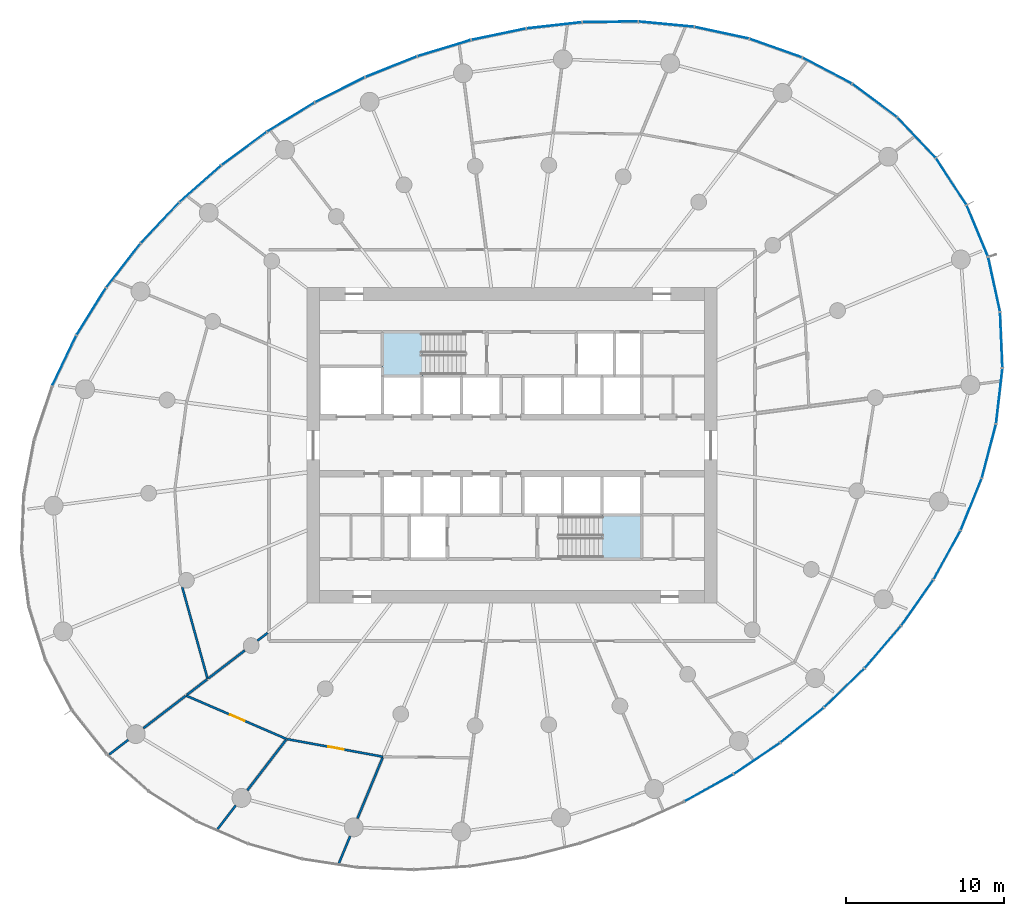
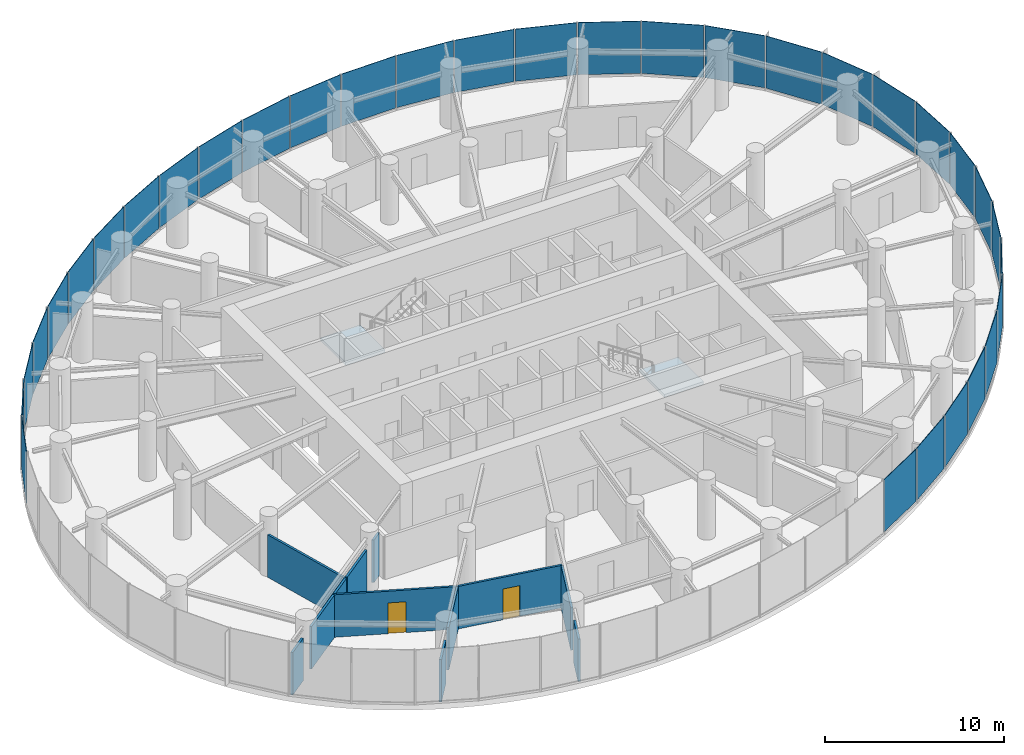
# One storey, part 9 of 17: 33 plates, 12 walls, 2 doors, 2 slabs, 2 openings, 9 elements without a shape of their own.
"""IFC4 building model written with IfcOpenShell, lengths in metres."""

from ifc_helpers import new_model, si_unit, direction, frame, frame_2d, origin, origin_2d, place, context, subcontext, project, spatial, line, indexed_curve, rectangle, outline, extrude, source, transform, mapped, material, layer, layer_set, type_object, element, fill, aggregate, save


model = new_model("IFC4")

# Units and contexts
model_context = context("Model", 3, precision=1e-05, world=origin(), true_north=direction((0.0, 1.0)))
body_context = subcontext(model_context, "Body", "Model", "MODEL_VIEW")
ifc_project = project(units=[si_unit("LENGTHUNIT", "METRE"), si_unit("AREAUNIT", "SQUARE_METRE"), si_unit("VOLUMEUNIT", "CUBIC_METRE"), si_unit("PLANEANGLEUNIT", "RADIAN"), si_unit("MASSUNIT", "GRAM", prefix="KILO")], contexts=[model_context])

# Site, building, storey
site_placement = place(None, origin())
site = spatial("IfcSite", under=ifc_project, at=site_placement, CompositionType="ELEMENT")
building_placement = place(site_placement, origin())
building = spatial("IfcBuilding", under=site, at=building_placement, Name="Spindrift Exchange Tower", CompositionType="ELEMENT")
storey_placement = place(building_placement, frame((0.0, 0.0, 112.60009765625)))
storey = spatial("IfcBuildingStorey", under=building, at=storey_placement, Name="L26", CompositionType="ELEMENT", Elevation=112.60009765625)

# Stair, slab
ifc_material_1 = material(Name="Concrete 50 MPa", Category="concrete")
stair_type = type_object("IfcStairType", Name="ST-1250-R186", PredefinedType="HALF_TURN_STAIR", material=ifc_material_1)
stair_1_placement = place(storey_placement, origin())
stair_1 = element("IfcStair", 1, at=stair_1_placement, inside=storey, type_object=stair_type, Name="L26 Exit stair ST1", PredefinedType="HALF_TURN_STAIR")
ifc_layer_1 = layer(ifc_material_1, 0.199951171875)
ifc_layer_set_1 = layer_set([ifc_layer_1], Name="SL-LANDING")
slab_type = type_object("IfcSlabType", Name="SL-LANDING", PredefinedType="LANDING", material=ifc_layer_set_1)
slab_1_placement = place(storey_placement, frame((0.0, 0.0, 1.849853515625)))
slab_1 = element("IfcSlab", 2, at=slab_1_placement, type_object=slab_type, Name="ST1 landing 1", PredefinedType="LANDING", context=body_context, shape_type="SweptSolid", body=[
    extrude(outline(indexed_curve([(46.330078125, 52.39990234375), (43.800048828125, 52.39990234375), (43.800048828125, 55.199951171875), (46.330078125, 55.199951171875)], segments=[line(1, 2, 3, 4, 1)], self_intersect=False)), origin(), (0.0, 0.0, 1.0), 0.199951171875),
])
aggregate(stair_1, [slab_1])

stair_2_placement = place(storey_placement, origin())
stair_2 = element("IfcStair", 3, at=stair_2_placement, inside=storey, type_object=stair_type, Name="L26 Exit stair ST2", PredefinedType="HALF_TURN_STAIR")
slab_2_placement = place(storey_placement, frame((0.0, 0.0, 1.849853515625)))
slab_2 = element("IfcSlab", 4, at=slab_2_placement, type_object=slab_type, Name="ST2 landing 1", PredefinedType="LANDING", context=body_context, shape_type="SweptSolid", body=[
    extrude(outline(indexed_curve([(57.669921875, 43.60009765625), (60.199951171875, 43.60009765625), (60.199951171875, 40.800048828125), (57.669921875, 40.800048828125)], segments=[line(1, 2, 3, 4, 1)], self_intersect=False)), origin(), (0.0, 0.0, 1.0), 0.199951171875),
])
aggregate(stair_2, [slab_2])

# Curtain wall, plate
ifc_material_2 = material(Name="Fritted laminated glass with bronze frame", Category="glass")
ifc_layer_2 = layer(ifc_material_2, 0.18994140625)
ifc_layer_set_2 = layer_set([ifc_layer_2], Name="ZONE 2 BRONZE FRITTED WALL")
curtain_wall_type = type_object("IfcCurtainWallType", Name="ZONE 2 BRONZE FRITTED WALL", PredefinedType="NOTDEFINED", material=ifc_layer_set_2)
curtain_wall_1_placement = place(storey_placement, origin())
curtain_wall_1 = element("IfcCurtainWall", 5, at=curtain_wall_1_placement, inside=storey, type_object=curtain_wall_type, Name="L26 Zone 2 Bronze Fritted Wall run 2", PredefinedType="NOTDEFINED")
ifc_material_3 = material(Name="Bronze fritted laminated glass, close frit", Category="glass")
ifc_layer_3 = layer(ifc_material_3, 0.033935546875)
ifc_layer_set_3 = layer_set([ifc_layer_3], Name="ZONE 2 BRONZE FRITTED WALL PANEL CLOSE FRIT 420")
plate_type_1 = type_object("IfcPlateType", Name="ZONE 2 BRONZE FRITTED WALL PANEL CLOSE FRIT 420", PredefinedType="CURTAIN_PANEL", material=ifc_layer_set_3)
shared_shape_1 = source(origin(), body_context, "Body", "SweptSolid", [
    extrude(rectangle(XDim=3.491455078125, YDim=0.033935546875, at=origin_2d()), origin(), (0.0, 0.0, 1.0), 3.56005859375),
])
plate_1_placement = place(storey_placement, frame((54.672607421875, 74.628662109375, 0.139892578125), z_axis=(0.0, 0.0, 1.0), x_axis=(-0.99375663017, -0.111569529864, 0.0)))
plate_1 = element("IfcPlate", 6, at=plate_1_placement, type_object=plate_type_1, Name="L26 panel CW-2.9", PredefinedType="CURTAIN_PANEL", context=body_context, shape_type="MappedRepresentation", body=[
    mapped(shared_shape_1, transform((0.0, 0.0, 0.0), scale=1.0)),
])

curtain_wall_2_placement = place(storey_placement, origin())
curtain_wall_2 = element("IfcCurtainWall", 7, at=curtain_wall_2_placement, inside=storey, type_object=curtain_wall_type, Name="L26 Zone 2 Bronze Fritted Wall run 8", PredefinedType="NOTDEFINED")
plate_2_placement = place(storey_placement, frame((75.510009765625, 35.212890625, 0.139892578125), z_axis=(0.0, 0.0, 1.0), x_axis=(0.651823136507, 0.758371016531, 0.0)))
plate_2 = element("IfcPlate", 8, at=plate_2_placement, type_object=plate_type_1, Name="L26 panel CW-2.43", PredefinedType="CURTAIN_PANEL", context=body_context, shape_type="MappedRepresentation", body=[
    mapped(shared_shape_1, transform((0.0, 0.0, 0.0), scale=1.0)),
])

# Plate
shared_shape_2 = source(origin(), body_context, "Body", "SweptSolid", [
    extrude(rectangle(XDim=3.49169921875, YDim=0.033935546875, at=origin_2d()), origin(), (0.0, 0.0, 1.0), 3.56005859375),
])
plate_3_placement = place(storey_placement, frame((44.340087890625, 72.00537109375, 0.139892578125), z_axis=(0.0, 0.0, 1.0), x_axis=(-0.928443690562, -0.371473166536, 0.0)))
plate_3 = element("IfcPlate", 9, at=plate_3_placement, type_object=plate_type_1, Name="L26 panel CW-2.12", PredefinedType="CURTAIN_PANEL", context=body_context, shape_type="MappedRepresentation", body=[
    mapped(shared_shape_2, transform((0.0, 0.0, 0.0), scale=1.0)),
])

# Curtain wall, plates
curtain_wall_3_placement = place(storey_placement, origin())
curtain_wall_3 = element("IfcCurtainWall", 10, at=curtain_wall_3_placement, inside=storey, type_object=curtain_wall_type, Name="L26 Zone 2 Bronze Fritted Wall run 3", PredefinedType="NOTDEFINED")
plate_4_placement = place(storey_placement, frame((41.090576171875, 70.54296875, 0.139892578125), z_axis=(0.0, 0.0, 1.0), x_axis=(-0.89370834683, -0.448648404439, 0.0)))
plate_4 = element("IfcPlate", 11, at=plate_4_placement, type_object=plate_type_1, Name="L26 panel CW-2.13", PredefinedType="CURTAIN_PANEL", context=body_context, shape_type="MappedRepresentation", body=[
    mapped(shared_shape_2, transform((0.0, 0.0, 0.0), scale=1.0)),
])
plate_5_placement = place(storey_placement, frame((32.24560546875, 64.585693359375, 0.139892578125), z_axis=(0.0, 0.0, 1.0), x_axis=(-0.750266866745, -0.661135106211, 0.0)))
plate_5 = element("IfcPlate", 12, at=plate_5_placement, type_object=plate_type_1, Name="L26 panel CW-2.16", PredefinedType="CURTAIN_PANEL", context=body_context, shape_type="MappedRepresentation", body=[
    mapped(shared_shape_2, transform((0.0, 0.0, 0.0), scale=1.0)),
])
ifc_layer_4 = layer(ifc_material_3, 0.033935546875)
ifc_layer_set_4 = layer_set([ifc_layer_4], Name="ZONE 2 BRONZE FRITTED WALL PANEL CLOSE FRIT 300")
plate_type_2 = type_object("IfcPlateType", Name="ZONE 2 BRONZE FRITTED WALL PANEL CLOSE FRIT 300", PredefinedType="CURTAIN_PANEL", material=ifc_layer_set_4)
shared_shape_3 = source(origin(), body_context, "Body", "SweptSolid", [
    extrude(rectangle(XDim=3.49169921875, YDim=0.033935546875, at=origin_2d()), origin(), (0.0, 0.0, 1.0), 3.56005859375),
])
plate_6_placement = place(storey_placement, frame((35.019287109375, 66.822265625, 0.139892578125), z_axis=(0.0, 0.0, 1.0), x_axis=(-0.805161964348, -0.593054981572, 0.0)))
plate_6 = element("IfcPlate", 13, at=plate_6_placement, type_object=plate_type_2, Name="L26 panel CW-2.15", PredefinedType="CURTAIN_PANEL", context=body_context, shape_type="MappedRepresentation", body=[
    mapped(shared_shape_3, transform((0.0, 0.0, 0.0), scale=1.0)),
])

# Curtain wall, plate
curtain_wall_4_placement = place(storey_placement, origin())
curtain_wall_4 = element("IfcCurtainWall", 14, at=curtain_wall_4_placement, inside=storey, type_object=curtain_wall_type, Name="L26 Zone 2 Bronze Fritted Wall run 7", PredefinedType="NOTDEFINED")
plate_7_placement = place(storey_placement, frame((67.5234375, 28.151611328125, 0.139892578125), z_axis=(0.0, 0.0, 1.0), x_axis=(0.829813648923, 0.558040597144, 0.0)))
plate_7 = element("IfcPlate", 15, at=plate_7_placement, type_object=plate_type_2, Name="L26 panel CW-2.40", PredefinedType="CURTAIN_PANEL", context=body_context, shape_type="MappedRepresentation", body=[
    mapped(shared_shape_3, transform((0.0, 0.0, 0.0), scale=1.0)),
])

# Plate
ifc_layer_5 = layer(ifc_material_3, 0.033935546875)
ifc_layer_set_5 = layer_set([ifc_layer_5], Name="ZONE 2 BRONZE FRITTED WALL PANEL CLOSE FRIT 540")
plate_type_3 = type_object("IfcPlateType", Name="ZONE 2 BRONZE FRITTED WALL PANEL CLOSE FRIT 540", PredefinedType="CURTAIN_PANEL", material=ifc_layer_set_5)
shared_shape_4 = source(origin(), body_context, "Body", "SweptSolid", [
    extrude(rectangle(XDim=3.49169921875, YDim=0.033935546875, at=origin_2d()), origin(), (0.0, 0.0, 1.0), 3.56005859375),
])
plate_8_placement = place(storey_placement, frame((47.702392578125, 73.185302734375, 0.139892578125), z_axis=(0.0, 0.0, 1.0), x_axis=(-0.956977819284, -0.290161081813, 0.0)))
plate_8 = element("IfcPlate", 16, at=plate_8_placement, type_object=plate_type_3, Name="L26 panel CW-2.11", PredefinedType="CURTAIN_PANEL", context=body_context, shape_type="MappedRepresentation", body=[
    mapped(shared_shape_4, transform((0.0, 0.0, 0.0), scale=1.0)),
])

plate_9_placement = place(storey_placement, frame((37.97607421875, 68.811279296875, 0.139892578125), z_axis=(0.0, 0.0, 1.0), x_axis=(-0.852744107728, -0.522328906663, 0.0)))
plate_9 = element("IfcPlate", 17, at=plate_9_placement, type_object=plate_type_3, Name="L26 panel CW-2.14", PredefinedType="CURTAIN_PANEL", context=body_context, shape_type="MappedRepresentation", body=[
    mapped(shared_shape_4, transform((0.0, 0.0, 0.0), scale=1.0)),
])

plate_10_placement = place(storey_placement, frame((64.485107421875, 26.2900390625, 0.139892578125), z_axis=(0.0, 0.0, 1.0), x_axis=(0.87402505182, 0.485880858638, 0.0)))
plate_10 = element("IfcPlate", 18, at=plate_10_placement, type_object=plate_type_3, Name="L26 panel CW-2.39", PredefinedType="CURTAIN_PANEL", context=body_context, shape_type="MappedRepresentation", body=[
    mapped(shared_shape_4, transform((0.0, 0.0, 0.0), scale=1.0)),
])

plate_11_placement = place(storey_placement, frame((70.39208984375, 30.265625, 0.139892578125), z_axis=(0.0, 0.0, 1.0), x_axis=(0.778681359755, 0.62741958845, 0.0)))
plate_11 = element("IfcPlate", 19, at=plate_11_placement, type_object=plate_type_3, Name="L26 panel CW-2.41", PredefinedType="CURTAIN_PANEL", context=body_context, shape_type="MappedRepresentation", body=[
    mapped(shared_shape_4, transform((0.0, 0.0, 0.0), scale=1.0)),
])

# Curtain wall, plate
curtain_wall_5_placement = place(storey_placement, origin())
curtain_wall_5 = element("IfcCurtainWall", 20, at=curtain_wall_5_placement, inside=storey, type_object=curtain_wall_type, Name="L26 Zone 2 Bronze Fritted Wall run 9", PredefinedType="NOTDEFINED")
shared_shape_5 = source(origin(), body_context, "Body", "SweptSolid", [
    extrude(rectangle(XDim=3.48779296875, YDim=0.033935546875, at=origin_2d()), origin(), (0.0, 0.0, 1.0), 3.56005859375),
])
plate_12_placement = place(storey_placement, frame((81.50244140625, 61.590087890625, 0.139892578125), z_axis=(0.0, 0.0, 1.0), x_axis=(-0.38402460677, 0.923322858699, 0.0)))
plate_12 = element("IfcPlate", 21, at=plate_12_placement, type_object=plate_type_1, Name="L26 panel CW-2.51", PredefinedType="CURTAIN_PANEL", context=body_context, shape_type="MappedRepresentation", body=[
    mapped(shared_shape_5, transform((0.0, 0.0, 0.0), scale=1.0)),
])

# Curtain wall, plates
curtain_wall_6_placement = place(storey_placement, origin())
curtain_wall_6 = element("IfcCurtainWall", 22, at=curtain_wall_6_placement, inside=storey, type_object=curtain_wall_type, Name="L26 Zone 2 Bronze Fritted Wall run 1", PredefinedType="NOTDEFINED")
shared_shape_6 = source(origin(), body_context, "Body", "SweptSolid", [
    extrude(rectangle(XDim=3.48779296875, YDim=0.033935546875, at=origin_2d()), origin(), (0.0, 0.0, 1.0), 3.56005859375),
])
plate_13_placement = place(storey_placement, frame((79.84423828125, 64.726318359375, 0.139892578125), z_axis=(0.0, 0.0, 1.0), x_axis=(-0.546740737619, 0.837301956183, 0.0)))
plate_13 = element("IfcPlate", 23, at=plate_13_placement, type_object=plate_type_3, Name="L26 panel CW-2.1", PredefinedType="CURTAIN_PANEL", context=body_context, shape_type="MappedRepresentation", body=[
    mapped(shared_shape_6, transform((0.0, 0.0, 0.0), scale=1.0)),
])
shared_shape_7 = source(origin(), body_context, "Body", "SweptSolid", [
    extrude(rectangle(XDim=3.488037109375, YDim=0.033935546875, at=origin_2d()), origin(), (0.0, 0.0, 1.0), 3.56005859375),
])
plate_14_placement = place(storey_placement, frame((77.64404296875, 67.510498046875, 0.139892578125), z_axis=(0.0, 0.0, 1.0), x_axis=(-0.6883115299, 0.725415217518, 0.0)))
plate_14 = element("IfcPlate", 24, at=plate_14_placement, type_object=plate_type_2, Name="L26 panel CW-2.2", PredefinedType="CURTAIN_PANEL", context=body_context, shape_type="MappedRepresentation", body=[
    mapped(shared_shape_7, transform((0.0, 0.0, 0.0), scale=1.0)),
])

# Plate
shared_shape_8 = source(origin(), body_context, "Body", "SweptSolid", [
    extrude(rectangle(XDim=3.48876953125, YDim=0.033935546875, at=origin_2d()), origin(), (0.0, 0.0, 1.0), 3.56005859375),
])
plate_15_placement = place(storey_placement, frame((83.017333984375, 54.682861328125, 0.139892578125), z_axis=(0.0, 0.0, 1.0), x_axis=(-0.042707430911, 0.999087621455, 0.0)))
plate_15 = element("IfcPlate", 25, at=plate_15_placement, type_object=plate_type_1, Name="L26 panel CW-2.49", PredefinedType="CURTAIN_PANEL", context=body_context, shape_type="MappedRepresentation", body=[
    mapped(shared_shape_8, transform((0.0, 0.0, 0.0), scale=1.0)),
])

shared_shape_9 = source(origin(), body_context, "Body", "SweptSolid", [
    extrude(rectangle(XDim=3.489990234375, YDim=0.033935546875, at=origin_2d()), origin(), (0.0, 0.0, 1.0), 3.56005859375),
])
plate_16_placement = place(storey_placement, frame((68.72607421875, 73.187255859375, 0.139892578125), z_axis=(0.0, 0.0, 1.0), x_axis=(-0.942417559898, 0.334438548608, 0.0)))
plate_16 = element("IfcPlate", 26, at=plate_16_placement, type_object=plate_type_3, Name="L26 panel CW-2.5", PredefinedType="CURTAIN_PANEL", context=body_context, shape_type="MappedRepresentation", body=[
    mapped(shared_shape_9, transform((0.0, 0.0, 0.0), scale=1.0)),
])

plate_17_placement = place(storey_placement, frame((82.23291015625, 47.6376953125, 0.139892578125), z_axis=(0.0, 0.0, 1.0), x_axis=(0.254331888111, 0.967116999483, 0.0)))
plate_17 = element("IfcPlate", 27, at=plate_17_placement, type_object=plate_type_3, Name="L26 panel CW-2.47", PredefinedType="CURTAIN_PANEL", context=body_context, shape_type="MappedRepresentation", body=[
    mapped(shared_shape_9, transform((0.0, 0.0, 0.0), scale=1.0)),
])

# Curtain wall, plate
curtain_wall_7_placement = place(storey_placement, origin())
curtain_wall_7 = element("IfcCurtainWall", 28, at=curtain_wall_7_placement, inside=storey, type_object=curtain_wall_type, Name="L26 Zone 2 Bronze Fritted Wall run 4", PredefinedType="NOTDEFINED")
shared_shape_10 = source(origin(), body_context, "Body", "SweptSolid", [
    extrude(rectangle(XDim=3.490478515625, YDim=0.033935546875, at=origin_2d()), origin(), (0.0, 0.0, 1.0), 3.56005859375),
])
plate_18_placement = place(storey_placement, frame((23.610595703125, 53.36669921875, 0.139892578125), z_axis=(0.0, 0.0, 1.0), x_axis=(-0.431451322113, -0.902136218454, 0.0)))
plate_18 = element("IfcPlate", 29, at=plate_18_placement, type_object=plate_type_2, Name="L26 panel CW-2.20", PredefinedType="CURTAIN_PANEL", context=body_context, shape_type="MappedRepresentation", body=[
    mapped(shared_shape_10, transform((0.0, 0.0, 0.0), scale=1.0)),
])

# Plate
shared_shape_11 = source(origin(), body_context, "Body", "SweptSolid", [
    extrude(rectangle(XDim=3.4912109375, YDim=0.033935546875, at=origin_2d()), origin(), (0.0, 0.0, 1.0), 3.56005859375),
])
plate_19_placement = place(storey_placement, frame((58.2275390625, 74.849609375, 0.139892578125), z_axis=(0.0, 0.0, 1.0), x_axis=(-0.999923891144, -0.012337419477, 0.0)))
plate_19 = element("IfcPlate", 30, at=plate_19_placement, type_object=plate_type_1, Name="L26 panel CW-2.8", PredefinedType="CURTAIN_PANEL", context=body_context, shape_type="MappedRepresentation", body=[
    mapped(shared_shape_11, transform((0.0, 0.0, 0.0), scale=1.0)),
])

plate_20_placement = place(storey_placement, frame((27.36279296875, 59.40771484375, 0.139892578125), z_axis=(0.0, 0.0, 1.0), x_axis=(-0.613980790661, -0.789320966844, 0.0)))
plate_20 = element("IfcPlate", 31, at=plate_20_placement, type_object=plate_type_1, Name="L26 panel CW-2.18", PredefinedType="CURTAIN_PANEL", context=body_context, shape_type="MappedRepresentation", body=[
    mapped(shared_shape_11, transform((0.0, 0.0, 0.0), scale=1.0)),
])

plate_21_placement = place(storey_placement, frame((25.32373046875, 56.487548828125, 0.139892578125), z_axis=(0.0, 0.0, 1.0), x_axis=(-0.529484038283, -0.848319900276, 0.0)))
plate_21 = element("IfcPlate", 32, at=plate_21_placement, type_object=plate_type_1, Name="L26 panel CW-2.19", PredefinedType="CURTAIN_PANEL", context=body_context, shape_type="MappedRepresentation", body=[
    mapped(shared_shape_11, transform((0.0, 0.0, 0.0), scale=1.0)),
])

aggregate(curtain_wall_7, [plate_21, plate_18])

plate_22_placement = place(storey_placement, frame((77.694580078125, 38.026123046875, 0.139892578125), z_axis=(0.0, 0.0, 1.0), x_axis=(0.573306193735, 0.819341203788, 0.0)))
plate_22 = element("IfcPlate", 33, at=plate_22_placement, type_object=plate_type_1, Name="L26 panel CW-2.44", PredefinedType="CURTAIN_PANEL", context=body_context, shape_type="MappedRepresentation", body=[
    mapped(shared_shape_11, transform((0.0, 0.0, 0.0), scale=1.0)),
])

shared_shape_12 = source(origin(), body_context, "Body", "SweptSolid", [
    extrude(rectangle(XDim=3.491455078125, YDim=0.033935546875, at=origin_2d()), origin(), (0.0, 0.0, 1.0), 3.56005859375),
])
plate_23_placement = place(storey_placement, frame((51.15478515625, 74.066162109375, 0.139892578125), z_axis=(0.0, 0.0, 1.0), x_axis=(-0.979009203936, -0.203816041096, 0.0)))
plate_23 = element("IfcPlate", 34, at=plate_23_placement, type_object=plate_type_3, Name="L26 panel CW-2.10", PredefinedType="CURTAIN_PANEL", context=body_context, shape_type="MappedRepresentation", body=[
    mapped(shared_shape_12, transform((0.0, 0.0, 0.0), scale=1.0)),
])

plate_24_placement = place(storey_placement, frame((29.6826171875, 62.11083984375, 0.139892578125), z_axis=(0.0, 0.0, 1.0), x_axis=(-0.687019029703, -0.726639424216, 0.0)))
plate_24 = element("IfcPlate", 35, at=plate_24_placement, type_object=plate_type_3, Name="L26 panel CW-2.17", PredefinedType="CURTAIN_PANEL", context=body_context, shape_type="MappedRepresentation", body=[
    mapped(shared_shape_12, transform((0.0, 0.0, 0.0), scale=1.0)),
])

aggregate(curtain_wall_3, [plate_4, plate_9, plate_6, plate_5, plate_24, plate_20])

plate_25_placement = place(storey_placement, frame((73.064208984375, 32.62255859375, 0.139892578125), z_axis=(0.0, 0.0, 1.0), x_axis=(0.719762797109, 0.694220077424, 0.0)))
plate_25 = element("IfcPlate", 36, at=plate_25_placement, type_object=plate_type_3, Name="L26 panel CW-2.42", PredefinedType="CURTAIN_PANEL", context=body_context, shape_type="MappedRepresentation", body=[
    mapped(shared_shape_12, transform((0.0, 0.0, 0.0), scale=1.0)),
])

aggregate(curtain_wall_4, [plate_10, plate_7, plate_11, plate_25])

shared_shape_13 = source(origin(), body_context, "Body", "SweptSolid", [
    extrude(rectangle(XDim=3.490478515625, YDim=0.033935546875, at=origin_2d()), origin(), (0.0, 0.0, 1.0), 3.56005859375),
])
plate_26_placement = place(storey_placement, frame((65.30322265625, 74.158447265625, 0.139892578125), z_axis=(0.0, 0.0, 1.0), x_axis=(-0.97760728402, 0.210437635018, 0.0)))
plate_26 = element("IfcPlate", 37, at=plate_26_placement, type_object=plate_type_1, Name="L26 panel CW-2.6", PredefinedType="CURTAIN_PANEL", context=body_context, shape_type="MappedRepresentation", body=[
    mapped(shared_shape_13, transform((0.0, 0.0, 0.0), scale=1.0)),
])

shared_shape_14 = source(origin(), body_context, "Body", "SweptSolid", [
    extrude(rectangle(XDim=3.489501953125, YDim=0.033935546875, at=origin_2d()), origin(), (0.0, 0.0, 1.0), 3.56005859375),
])
plate_27_placement = place(storey_placement, frame((71.983642578125, 71.76220703125, 0.139892578125), z_axis=(0.0, 0.0, 1.0), x_axis=(-0.885286510339, 0.465046013435, 0.0)))
plate_27 = element("IfcPlate", 38, at=plate_27_placement, type_object=plate_type_2, Name="L26 panel CW-2.4", PredefinedType="CURTAIN_PANEL", context=body_context, shape_type="MappedRepresentation", body=[
    mapped(shared_shape_14, transform((0.0, 0.0, 0.0), scale=1.0)),
])

shared_shape_15 = source(origin(), body_context, "Body", "SweptSolid", [
    extrude(rectangle(XDim=3.488037109375, YDim=0.033935546875, at=origin_2d()), origin(), (0.0, 0.0, 1.0), 3.56005859375),
])
plate_28_placement = place(storey_placement, frame((82.56396484375, 58.2041015625, 0.139892578125), z_axis=(0.0, 0.0, 1.0), x_axis=(-0.211839952667, 0.977304371449, 0.0)))
plate_28 = element("IfcPlate", 39, at=plate_28_placement, type_object=plate_type_3, Name="L26 panel CW-2.50", PredefinedType="CURTAIN_PANEL", context=body_context, shape_type="MappedRepresentation", body=[
    mapped(shared_shape_15, transform((0.0, 0.0, 0.0), scale=1.0)),
])

aggregate(curtain_wall_5, [plate_15, plate_28, plate_12])

shared_shape_16 = source(origin(), body_context, "Body", "SweptSolid", [
    extrude(rectangle(XDim=3.490966796875, YDim=0.033935546875, at=origin_2d()), origin(), (0.0, 0.0, 1.0), 3.56005859375),
])
plate_29_placement = place(storey_placement, frame((79.57666015625, 41.049072265625, 0.139892578125), z_axis=(0.0, 0.0, 1.0), x_axis=(0.482265955361, 0.876024855983, 0.0)))
plate_29 = element("IfcPlate", 40, at=plate_29_placement, type_object=plate_type_2, Name="L26 panel CW-2.45", PredefinedType="CURTAIN_PANEL", context=body_context, shape_type="MappedRepresentation", body=[
    mapped(shared_shape_16, transform((0.0, 0.0, 0.0), scale=1.0)),
])

shared_shape_17 = source(origin(), body_context, "Body", "SweptSolid", [
    extrude(rectangle(XDim=3.48876953125, YDim=0.033935546875, at=origin_2d()), origin(), (0.0, 0.0, 1.0), 3.56005859375),
])
plate_30_placement = place(storey_placement, frame((74.98974609375, 69.8681640625, 0.139892578125), z_axis=(0.0, 0.0, 1.0), x_axis=(-0.801556549338, 0.59791897295, 0.0)))
plate_30 = element("IfcPlate", 41, at=plate_30_placement, type_object=plate_type_2, Name="L26 panel CW-2.3", PredefinedType="CURTAIN_PANEL", context=body_context, shape_type="MappedRepresentation", body=[
    mapped(shared_shape_17, transform((0.0, 0.0, 0.0), scale=1.0)),
])

aggregate(curtain_wall_6, [plate_13, plate_14, plate_30, plate_27, plate_16, plate_26])

shared_shape_18 = source(origin(), body_context, "Body", "SweptSolid", [
    extrude(rectangle(XDim=3.490478515625, YDim=0.033935546875, at=origin_2d()), origin(), (0.0, 0.0, 1.0), 3.56005859375),
])
plate_31_placement = place(storey_placement, frame((81.10791015625, 44.26220703125, 0.139892578125), z_axis=(0.0, 0.0, 1.0), x_axis=(0.376665688039, 0.926349264292, 0.0)))
plate_31 = element("IfcPlate", 42, at=plate_31_placement, type_object=plate_type_3, Name="L26 panel CW-2.46", PredefinedType="CURTAIN_PANEL", context=body_context, shape_type="MappedRepresentation", body=[
    mapped(shared_shape_18, transform((0.0, 0.0, 0.0), scale=1.0)),
])

shared_shape_19 = source(origin(), body_context, "Body", "SweptSolid", [
    extrude(rectangle(XDim=3.490966796875, YDim=0.033935546875, at=origin_2d()), origin(), (0.0, 0.0, 1.0), 3.56005859375),
])
plate_32_placement = place(storey_placement, frame((61.78564453125, 74.70263671875, 0.139892578125), z_axis=(0.0, 0.0, 1.0), x_axis=(-0.995500323013, 0.094758149422, 0.0)))
plate_32 = element("IfcPlate", 43, at=plate_32_placement, type_object=plate_type_1, Name="L26 panel CW-2.7", PredefinedType="CURTAIN_PANEL", context=body_context, shape_type="MappedRepresentation", body=[
    mapped(shared_shape_19, transform((0.0, 0.0, 0.0), scale=1.0)),
])

aggregate(curtain_wall_1, [plate_32, plate_19, plate_1, plate_23, plate_8, plate_3])

shared_shape_20 = source(origin(), body_context, "Body", "SweptSolid", [
    extrude(rectangle(XDim=3.4892578125, YDim=0.033935546875, at=origin_2d()), origin(), (0.0, 0.0, 1.0), 3.56005859375),
])
plate_33_placement = place(storey_placement, frame((82.889892578125, 51.132080078125, 0.139892578125), z_axis=(0.0, 0.0, 1.0), x_axis=(0.114271359912, 0.993449574112, 0.0)))
plate_33 = element("IfcPlate", 44, at=plate_33_placement, type_object=plate_type_3, Name="L26 panel CW-2.48", PredefinedType="CURTAIN_PANEL", context=body_context, shape_type="MappedRepresentation", body=[
    mapped(shared_shape_20, transform((0.0, 0.0, 0.0), scale=1.0)),
])

aggregate(curtain_wall_2, [plate_2, plate_22, plate_29, plate_31, plate_17, plate_33])

# Walls
ifc_material_4 = material(Name="Fire-rated plasterboard partition", Category="gypsum")
ifc_layer_6 = layer(ifc_material_4, 0.139892578125)
ifc_layer_set_6 = layer_set([ifc_layer_6], Name="W-PART-140")
wall_type_1 = type_object("IfcWallType", Name="W-PART-140", PredefinedType="PARTITIONING", material=ifc_layer_set_6)
wall_1_placement = place(storey_placement, frame((35.06494140625, 35.00537109375, 0.0), z_axis=(0.0, 0.0, 1.0), x_axis=(-0.793337721891, -0.608781782764, 0.0)))
element("IfcWall", 45, at=wall_1_placement, inside=storey, type_object=wall_type_1, Name="L26 Partition wall 103", PredefinedType="PARTITIONING", context=body_context, shape_type="SweptSolid", body=[
    extrude(rectangle(XDim=2.89697265625, YDim=0.139892578125, at=frame_2d((1.448486328125, 0.0))), origin(), (0.0, 0.0, 1.0), 2.89990234375),
])
wall_2_placement = place(storey_placement, frame((36.510009765625, 36.114013671875, 0.0), z_axis=(0.0, 0.0, 1.0), x_axis=(-0.793316076519, -0.608809989025, 0.0)))
element("IfcWall", 46, at=wall_2_placement, inside=storey, type_object=wall_type_1, Name="L26 Partition wall 133", PredefinedType="PARTITIONING", context=body_context, shape_type="SweptSolid", body=[
    extrude(rectangle(XDim=0.8125, YDim=0.139892578125, at=frame_2d((0.40625, 0.0))), origin(), (0.0, 0.0, 1.0), 2.89990234375),
])

# Wall, opening, door
ifc_layer_7 = layer(ifc_material_4, 0.139892578125)
ifc_layer_set_7 = layer_set([ifc_layer_7], Name="W-PLANT-140")
wall_type_2 = type_object("IfcWallType", Name="W-PLANT-140", PredefinedType="PARTITIONING", material=ifc_layer_set_7)
wall_3_placement = place(storey_placement, frame((37.71826171875, 29.387451171875, 0.0), z_axis=(0.0, 0.0, 1.0), x_axis=(-0.918146849398, 0.396240284349, 0.0)))
wall_3 = element("IfcWall", 47, at=wall_3_placement, inside=storey, type_object=wall_type_2, Name="L26 Partition wall 66", PredefinedType="PARTITIONING", context=body_context, shape_type="SweptSolid", body=[
    extrude(rectangle(XDim=6.953125, YDim=0.139892578125, at=frame_2d((3.4765625, 0.0))), origin(), (0.0, 0.0, 1.0), 2.89990234375),
])
opening_1_placement = place(wall_3_placement, frame((2.903076171875, 0.0, 0.0)))
opening_1 = element("IfcOpeningElement", 48, at=opening_1_placement, cuts=wall_3, Name="Opening L26-D39", PredefinedType="OPENING", context=body_context, shape_type="SweptSolid", body=[
    extrude(rectangle(XDim=1.0, YDim=2.10009765625, at=frame_2d((0.5, 1.050048828125))), frame((0.0, 0.079833984375, 0.0), z_axis=(0.0, -1.0, 0.0), x_axis=(1.0, 0.0, 0.0)), (0.0, 0.0, 1.0), 0.159912109375),
])
ifc_material_5 = material(Name="Timber-core fire door", Category="wood")
door_type = type_object("IfcDoorType", Name="DR-ROOM-1000", OperationType="NOTDEFINED", PredefinedType="DOOR", material=ifc_material_5)
shared_shape_21 = source(origin(), body_context, "Body", "SweptSolid", [
    extrude(rectangle(XDim=1.0, YDim=2.10009765625, at=frame_2d((0.5, 1.050048828125))), frame((0.0, 0.02490234375, 0.0), z_axis=(0.0, -1.0, 0.0), x_axis=(1.0, 0.0, 0.0)), (0.0, 0.0, 1.0), 0.050048828125),
])
door_1_placement = place(opening_1_placement, origin())
door_1 = element("IfcDoor", 49, at=door_1_placement, inside=storey, type_object=door_type, Name="L26 Door 39", OperationType="SINGLE_SWING_LEFT", OverallHeight=2.10009765625, OverallWidth=1.0, PredefinedType="DOOR", context=body_context, shape_type="MappedRepresentation", body=[
    mapped(shared_shape_21, transform((0.0, 0.0, 0.0), scale=1.0)),
])
fill(opening_1, door_1)

wall_4_placement = place(storey_placement, frame((43.82568359375, 28.265380859375, 0.0), z_axis=(0.0, 0.0, 1.0), x_axis=(-0.983538283384, 0.180699875811, 0.0)))
wall_4 = element("IfcWall", 50, at=wall_4_placement, inside=storey, type_object=wall_type_2, Name="L26 Partition wall 68", PredefinedType="PARTITIONING", context=body_context, shape_type="SweptSolid", body=[
    extrude(rectangle(XDim=6.179931640625, YDim=0.139892578125, at=frame_2d((3.08984375, 0.0))), origin(), (0.0, 0.0, 1.0), 2.89990234375),
])
opening_2_placement = place(wall_4_placement, frame((2.52978515625, 0.0, 0.0)))
opening_2 = element("IfcOpeningElement", 51, at=opening_2_placement, cuts=wall_4, Name="Opening L26-D40", PredefinedType="OPENING", context=body_context, shape_type="SweptSolid", body=[
    extrude(rectangle(XDim=1.0, YDim=2.10009765625, at=frame_2d((0.5, 1.050048828125))), frame((0.0, 0.079833984375, 0.0), z_axis=(0.0, -1.0, 0.0), x_axis=(1.0, 0.0, 0.0)), (0.0, 0.0, 1.0), 0.159912109375),
])
door_2_placement = place(opening_2_placement, origin())
door_2 = element("IfcDoor", 52, at=door_2_placement, inside=storey, type_object=door_type, Name="L26 Door 40", OperationType="SINGLE_SWING_RIGHT", OverallHeight=2.10009765625, OverallWidth=1.0, PredefinedType="DOOR", context=body_context, shape_type="MappedRepresentation", body=[
    mapped(shared_shape_21, transform((0.0, 0.0, 0.0), scale=1.0)),
])
fill(opening_2, door_2)

# Walls
wall_5_placement = place(storey_placement, frame((31.09521484375, 39.022216796875, 0.0), z_axis=(0.0, 0.0, 1.0), x_axis=(0.266539759446, -0.963823924083, 0.0)))
element("IfcWall", 53, at=wall_5_placement, inside=storey, type_object=wall_type_2, Name="L26 Partition wall 70", PredefinedType="PARTITIONING", context=body_context, shape_type="SweptSolid", body=[
    extrude(rectangle(XDim=6.04541015625, YDim=0.139892578125, at=frame_2d((3.022705078125, 0.0))), origin(), (0.0, 0.0, 1.0), 2.89990234375),
])
wall_6_placement = place(storey_placement, frame((43.79833984375, 28.19921875, 0.0), z_axis=(0.0, 0.0, 1.0), x_axis=(-0.382718911932, -0.923864835595, 0.0)))
element("IfcWall", 54, at=wall_6_placement, inside=storey, type_object=wall_type_2, Name="L26 Partition wall 86", PredefinedType="PARTITIONING", context=body_context, shape_type="SweptSolid", body=[
    extrude(rectangle(XDim=4.169921875, YDim=0.139892578125, at=frame_2d((2.0849609375, 0.0))), origin(), (0.0, 0.0, 1.0), 2.89990234375),
])
wall_7_placement = place(storey_placement, frame((37.67431640625, 29.330322265625, 0.0), z_axis=(0.0, 0.0, 1.0), x_axis=(-0.608749592837, -0.793362422365, 0.0)))
element("IfcWall", 55, at=wall_7_placement, inside=storey, type_object=wall_type_2, Name="L26 Partition wall 91", PredefinedType="PARTITIONING", context=body_context, shape_type="SweptSolid", body=[
    extrude(rectangle(XDim=4.028076171875, YDim=0.139892578125, at=frame_2d((2.01416015625, 0.0))), origin(), (0.0, 0.0, 1.0), 2.89990234375),
])
wall_8_placement = place(storey_placement, frame((31.310546875, 32.12451171875, 0.0), z_axis=(0.0, 0.0, 1.0), x_axis=(-0.793367783223, -0.608742606152, 0.0)))
element("IfcWall", 56, at=wall_8_placement, inside=storey, type_object=wall_type_2, Name="L26 Partition wall 100", PredefinedType="PARTITIONING", context=body_context, shape_type="SweptSolid", body=[
    extrude(rectangle(XDim=3.377197265625, YDim=0.139892578125, at=frame_2d((1.6884765625, 0.0))), origin(), (0.0, 0.0, 1.0), 2.89990234375),
])
wall_9_placement = place(storey_placement, frame((34.486328125, 25.17578125, 0.0), z_axis=(0.0, 0.0, 1.0), x_axis=(-0.608775965964, -0.793342185482, 0.0)))
element("IfcWall", 57, at=wall_9_placement, inside=storey, type_object=wall_type_2, Name="L26 Partition wall 116", PredefinedType="PARTITIONING", context=body_context, shape_type="SweptSolid", body=[
    extrude(rectangle(XDim=1.91943359375, YDim=0.139892578125, at=frame_2d((0.959716796875, 0.0))), origin(), (0.0, 0.0, 1.0), 2.89990234375),
])
wall_10_placement = place(storey_placement, frame((41.739501953125, 23.22900390625, 0.0), z_axis=(0.0, 0.0, 1.0), x_axis=(-0.3827117772, -0.923867791187, 0.0)))
element("IfcWall", 58, at=wall_10_placement, inside=storey, type_object=wall_type_2, Name="L26 Partition wall 118", PredefinedType="PARTITIONING", context=body_context, shape_type="SweptSolid", body=[
    extrude(rectangle(XDim=1.876708984375, YDim=0.139892578125, at=frame_2d((0.9384765625, 0.0))), origin(), (0.0, 0.0, 1.0), 2.89990234375),
])
wall_11_placement = place(storey_placement, frame((32.682861328125, 33.177490234375, 0.0), z_axis=(0.0, 0.0, 1.0), x_axis=(-0.793368572463, -0.608741577542, 0.0)))
element("IfcWall", 59, at=wall_11_placement, inside=storey, type_object=wall_type_2, Name="L26 Partition wall 120", PredefinedType="PARTITIONING", context=body_context, shape_type="SweptSolid", body=[
    extrude(rectangle(XDim=1.619873046875, YDim=0.139892578125, at=frame_2d((0.81005859375, 0.0))), origin(), (0.0, 0.0, 1.0), 2.89990234375),
])
wall_12_placement = place(storey_placement, frame((27.67236328125, 29.332763671875, 0.0), z_axis=(0.0, 0.0, 1.0), x_axis=(-0.793320214774, -0.608804596592, 0.0)))
element("IfcWall", 60, at=wall_12_placement, inside=storey, type_object=wall_type_2, Name="L26 Partition wall 124", PredefinedType="PARTITIONING", context=body_context, shape_type="SweptSolid", body=[
    extrude(rectangle(XDim=1.510986328125, YDim=0.139892578125, at=frame_2d((0.75537109375, 0.0))), origin(), (0.0, 0.0, 1.0), 2.89990234375),
])

save(model, "model.ifc")
